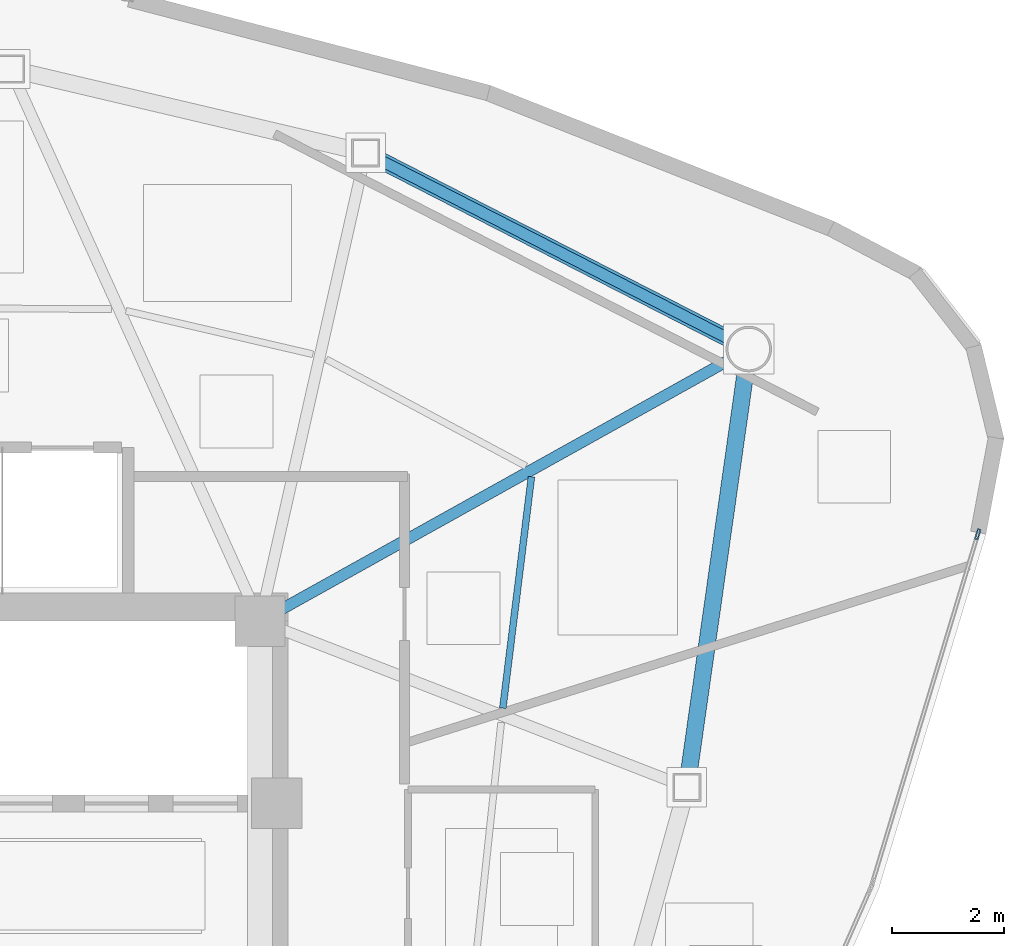
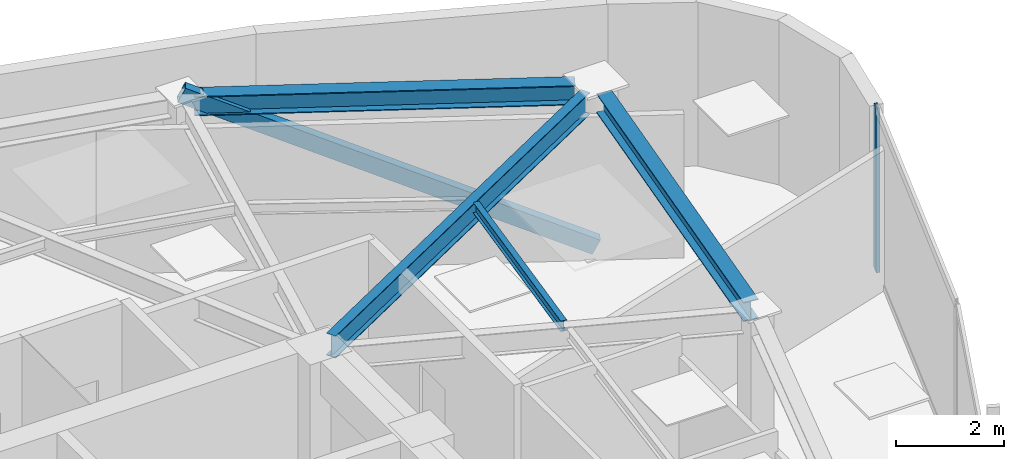
# One storey, part 6 of 12: 4 beams, 2 members, 1 element without a shape of its own.
"""IFC4 building model written with IfcOpenShell, lengths in metres."""

from ifc_helpers import new_model, si_unit, direction, frame, origin, origin_2d, place, context, subcontext, project, spatial, hollow_rectangle, i_section, extrude, source, transform, mapped, material, layer, layer_set, material_profile, profile_set, type_object, type_shapes, element, aggregate, save


model = new_model("IFC4")

# Units and contexts
model_context = context("Model", 3, precision=1e-05, world=origin(), true_north=direction((0.0, 1.0)))
body_context = subcontext(model_context, "Body", "Model", "MODEL_VIEW")
ifc_project = project(units=[si_unit("LENGTHUNIT", "METRE"), si_unit("AREAUNIT", "SQUARE_METRE"), si_unit("VOLUMEUNIT", "CUBIC_METRE"), si_unit("PLANEANGLEUNIT", "RADIAN"), si_unit("MASSUNIT", "GRAM", prefix="KILO")], contexts=[model_context])

# Site, building, storey
site_placement = place(None, origin())
site = spatial("IfcSite", under=ifc_project, at=site_placement, CompositionType="ELEMENT")
building_placement = place(site_placement, origin())
building = spatial("IfcBuilding", under=site, at=building_placement, Name="Tavelor Broadcast Tower", CompositionType="ELEMENT")
storey_placement = place(building_placement, frame((0.0, 0.0, 277.5)))
storey = spatial("IfcBuildingStorey", under=building, at=storey_placement, Name="L66", CompositionType="ELEMENT", Elevation=277.5)

# Beams
ifc_material_1 = material(Name="Steel S355", Category="steel")
ifc_material_profile_1 = material_profile(ifc_material_1, i_section(OverallWidth=0.1201171875, OverallDepth=0.239990234375, WebThickness=0.006103515625, FlangeThickness=0.009765625, at=origin_2d()), Name="IPE 240")
ifc_profile_set_1 = profile_set([ifc_material_profile_1], Name="Steel S355")
beam_type_1 = type_object("IfcBeamType", Name="Composite Floor Joist T7 IPE 240", PredefinedType="JOIST", material=ifc_profile_set_1)
beam_1_placement = place(storey_placement, frame((60.931884765625, 49.648681640625, 3.580078125), z_axis=(0.12271283089, 0.992442220552, 0.0), x_axis=(-0.992442220552, 0.12271283089, 0.0)))
element("IfcBeam", 1, at=beam_1_placement, inside=storey, type_object=beam_type_1, Name="L66 Secondary Composite Floor Joist 12", PredefinedType="JOIST", context=body_context, shape_type="SweptSolid", body=[
    extrude(i_section(OverallWidth=0.1201171875, OverallDepth=0.239990234375, WebThickness=0.006103515625, FlangeThickness=0.009765625, at=origin_2d()), origin(), (0.0, 0.0, 1.0), 4.16015625),
])
ifc_material_profile_2 = material_profile(ifc_material_1, i_section(OverallWidth=0.300048828125, OverallDepth=0.43994140625, WebThickness=0.011474609375, FlangeThickness=0.02099609375, at=origin_2d()), Name="HEA 450")
ifc_profile_set_2 = profile_set([ifc_material_profile_2], Name="Steel S355")
beam_type_2 = type_object("IfcBeamType", Name="Perimeter Spandrel Beam T7 HEA 450", PredefinedType="SPANDREL", material=ifc_profile_set_2)
beam_2_placement = place(storey_placement, frame((64.248046875, 48.47509765625, 3.47998046875), z_axis=(0.139953453654, 0.990158083747, 0.0), x_axis=(-0.990158083747, 0.139953453654, 0.0)))
element("IfcBeam", 2, at=beam_2_placement, inside=storey, type_object=beam_type_2, Name="L66 Framed-Tube Ring Spandrel 12", PredefinedType="SPANDREL", context=body_context, shape_type="SweptSolid", body=[
    extrude(i_section(OverallWidth=0.300048828125, OverallDepth=0.43994140625, WebThickness=0.011474609375, FlangeThickness=0.02099609375, at=origin_2d()), origin(), (0.0, 0.0, 1.0), 7.265625),
])
beam_3_placement = place(storey_placement, frame((64.97216796875, 56.2333984375, 3.47998046875), z_axis=(-0.889963826526, 0.456031125556, 0.0), x_axis=(-0.456031125556, -0.889963826526, 0.0)))
element("IfcBeam", 3, at=beam_3_placement, inside=storey, type_object=beam_type_2, Name="L66 Framed-Tube Ring Spandrel 13", PredefinedType="SPANDREL", context=body_context, shape_type="SweptSolid", body=[
    extrude(i_section(OverallWidth=0.300048828125, OverallDepth=0.43994140625, WebThickness=0.011474609375, FlangeThickness=0.02099609375, at=origin_2d()), origin(), (0.0, 0.0, 1.0), 7.048583984375),
])

# Member
ifc_material_profile_3 = material_profile(ifc_material_1, hollow_rectangle(XDim=0.199951171875, YDim=0.35009765625, WallThickness=0.01611328125, at=origin_2d()), Name="RHS 350x200x16")
ifc_profile_set_3 = profile_set([ifc_material_profile_3], Name="Steel S355")
member_type_1 = type_object("IfcMemberType", Name="Perimeter Tube Brace T7 RHS 350x200x16", PredefinedType="BRACE", material=ifc_profile_set_3)
member_1_placement = place(storey_placement, frame((65.319580078125, 56.0556640625, 0.0), z_axis=(-0.801763897696, 0.410792291396, 0.434078732123), x_axis=(-0.455992584505, -0.889983574498, 0.0)))
element("IfcMember", 4, at=member_1_placement, inside=storey, type_object=member_type_1, Name="L66 Corner Tube Diagonal Brace 3", PredefinedType="BRACE", context=body_context, shape_type="SweptSolid", body=[
    extrude(hollow_rectangle(XDim=0.199951171875, YDim=0.35009765625, WallThickness=0.01611328125, at=origin_2d()), origin(), (0.0, 0.0, 1.0), 8.523681640625),
])

# Beam
ifc_material_profile_4 = material_profile(ifc_material_1, i_section(OverallWidth=0.199951171875, OverallDepth=0.5, WebThickness=0.01025390625, FlangeThickness=0.01611328125, at=origin_2d()), Name="IPE 500")
ifc_profile_set_4 = profile_set([ifc_material_profile_4], Name="Steel S355")
beam_type_3 = type_object("IfcBeamType", Name="Radial Floor Girder T7 IPE 500", PredefinedType="BEAM", material=ifc_profile_set_4)
beam_4_placement = place(storey_placement, frame((56.977294921875, 51.41015625, 3.449951171875), z_axis=(0.873672716844, 0.486514114741, 0.0), x_axis=(-0.486514114741, 0.873672716844, 0.0)))
element("IfcBeam", 5, at=beam_4_placement, inside=storey, type_object=beam_type_3, Name="L66 Radial Primary Floor Girder 13", PredefinedType="BEAM", context=body_context, shape_type="SweptSolid", body=[
    extrude(i_section(OverallWidth=0.199951171875, OverallDepth=0.5, WebThickness=0.01025390625, FlangeThickness=0.01611328125, at=origin_2d()), origin(), (0.0, 0.0, 1.0), 9.158203125),
])

# Curtain wall, member
ifc_material_2 = material(Name="Architectural Anodized Aluminium", Category="aluminium")
ifc_layer = layer(ifc_material_2, 0.199951171875)
ifc_layer_set = layer_set([ifc_layer], Name="Architectural Anodized Aluminium")
curtain_wall_type = type_object("IfcCurtainWallType", Name="Tower High-Zone Triple-Glazed Curtain Wall CW04", PredefinedType="NOTDEFINED", material=ifc_layer_set)
curtain_wall_placement = place(storey_placement, origin())
curtain_wall = element("IfcCurtainWall", 6, at=curtain_wall_placement, inside=storey, type_object=curtain_wall_type, Name="L66 Curtain Wall CW04 Run 728", PredefinedType="NOTDEFINED")
ifc_material_profile_5 = material_profile(ifc_material_2, hollow_rectangle(XDim=0.070068359375, YDim=0.199951171875, WallThickness=0.02197265625, at=origin_2d()), Name="RHS 70x200x22")
ifc_profile_set_5 = profile_set([ifc_material_profile_5], Name="Architectural Anodized Aluminium")
member_type_2 = type_object("IfcMemberType", Name="CW04 Extruded Aluminium Mullion 70x200", PredefinedType="MULLION", material=ifc_profile_set_5)
shared_shape = source(origin(), body_context, "Body", "SweptSolid", [
    extrude(hollow_rectangle(XDim=0.070068359375, YDim=0.199951171875, WallThickness=0.02197265625, at=origin_2d()), origin(), (0.0, 0.0, 1.0), 3.699951171875),
])
type_shapes(member_type_2, [shared_shape])
member_2_placement = place(storey_placement, frame((69.4052734375, 52.75146484375, 0.0), z_axis=(0.0, 0.0, 1.0), x_axis=(-0.957201252245, 0.289423155087, 0.0)))
member_2 = element("IfcMember", 7, at=member_2_placement, type_object=member_type_2, Name="CW04 mullion 2", PredefinedType="MULLION", context=body_context, shape_type="MappedRepresentation", body=[
    mapped(shared_shape, transform((0.0, 0.0, 0.0), scale=1.0)),
])
aggregate(curtain_wall, [member_2])

save(model, "model.ifc")
